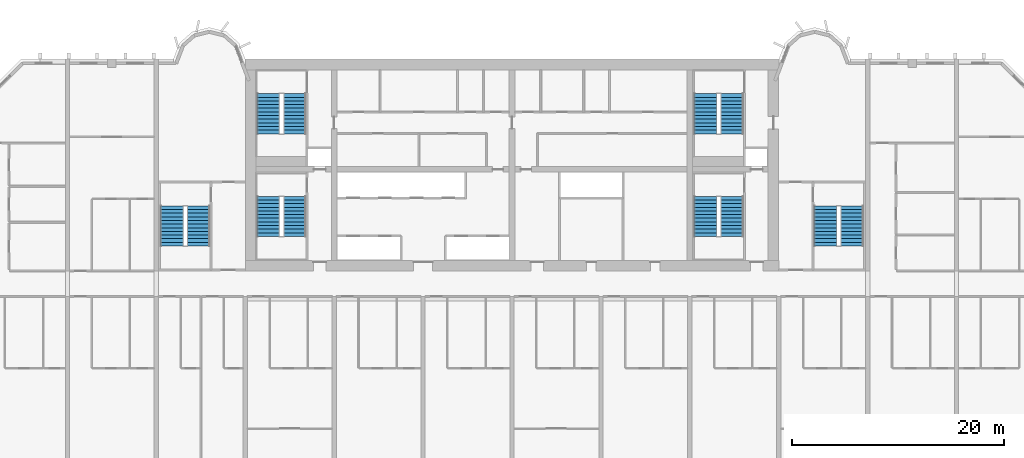
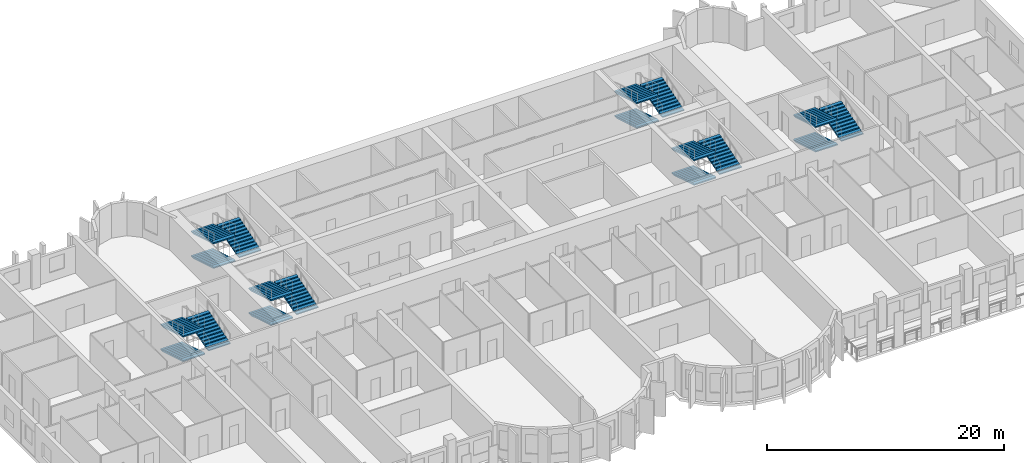
# One storey, part 12 of 15: 18 stair flights, 6 elements without a shape of their own.
"""IFC4 building model written with IfcOpenShell, lengths in metres."""

from ifc_helpers import new_model, si_unit, direction, frame, origin, place, context, subcontext, project, spatial, polyline, outline, extrude, source, transform, mapped, material, type_object, element, aggregate, save


model = new_model("IFC4")

# Units and contexts
model_context = context("Model", 3, precision=1e-05, world=origin(), true_north=direction((0.0, 1.0)))
body_context = subcontext(model_context, "Body", "Model", "MODEL_VIEW")
ifc_project = project(units=[si_unit("LENGTHUNIT", "METRE"), si_unit("AREAUNIT", "SQUARE_METRE"), si_unit("VOLUMEUNIT", "CUBIC_METRE"), si_unit("PLANEANGLEUNIT", "RADIAN"), si_unit("MASSUNIT", "GRAM", prefix="KILO")], contexts=[model_context])

# Site, building, storey
site_placement = place(None, origin())
site = spatial("IfcSite", under=ifc_project, at=site_placement, CompositionType="ELEMENT")
building_placement = place(site_placement, origin())
building = spatial("IfcBuilding", under=site, at=building_placement, Name="Vanashikhar Sky Hotel", CompositionType="ELEMENT")
storey_placement = place(building_placement, frame((0.0, 0.0, 69.60009765625)))
storey = spatial("IfcBuildingStorey", under=building, at=storey_placement, Name="L16", CompositionType="ELEMENT", Elevation=69.60009765625)

# Stair, stair flights
ifc_material = material(Name="Concrete M40", Category="concrete")
stair_type = type_object("IfcStairType", Name="Exit stair 2150", PredefinedType="DOUBLE_RETURN_STAIR", material=ifc_material)
stair_1_placement = place(storey_placement, origin())
stair_1 = element("IfcStair", 1, at=stair_1_placement, inside=storey, type_object=stair_type, Name="L16 Exit stair 1", PredefinedType="DOUBLE_RETURN_STAIR")
stair_flight_type = type_object("IfcStairFlightType", Name="Stair flight 2150", PredefinedType="STRAIGHT", material=ifc_material)
shared_shape = source(origin(), body_context, "Body", "SweptSolid", [
    extrude(outline(polyline([(0.0, 0.0), (0.0, 0.10546875), (0.345458984375, 0.10546875), (0.345458984375, 0.211181640625), (0.69091796875, 0.211181640625), (0.69091796875, 0.316650390625), (1.036376953125, 0.316650390625), (1.036376953125, 0.422119140625), (1.3818359375, 0.422119140625), (1.3818359375, 0.52783203125), (1.727294921875, 0.52783203125), (1.727294921875, 0.63330078125), (2.07275390625, 0.63330078125), (2.07275390625, 0.73876953125), (2.418212890625, 0.73876953125), (2.418212890625, 0.844482421875), (2.763671875, 0.844482421875), (2.763671875, 0.949951171875), (3.109130859375, 0.949951171875), (3.109130859375, 1.0556640625), (3.45458984375, 1.0556640625), (3.45458984375, 1.1611328125), (3.800048828125, 1.1611328125), (3.800048828125, 1.2666015625), (3.800048828125, 1.035400390625), (0.4111328125, 0.0), (0.0, 0.0)])), frame((0.0, 1.074951171875, 0.0), z_axis=(0.0, -1.0, 0.0), x_axis=(1.0, 0.0, 0.0)), (0.0, 0.0, 1.0), 2.14990234375),
])
stair_flight_1_placement = place(storey_placement, frame((27.375, 29.050048828125, 0.0), z_axis=(0.0, 0.0, 1.0), x_axis=(0.0, -1.0, 0.0)))
stair_flight_1 = element("IfcStairFlight", 2, at=stair_flight_1_placement, type_object=stair_flight_type, Name="ST-C1 flight 1", NumberOfRisers=12, NumberOfTreads=11, PredefinedType="STRAIGHT", RiserHeight=0.105555556, TreadLength=0.345454545, context=body_context, shape_type="MappedRepresentation", body=[
    mapped(shared_shape, transform((0.0, 0.0, 0.0), scale=1.0)),
])
stair_flight_2_placement = place(storey_placement, frame((29.875, 25.25, 1.2666015625), z_axis=(0.0, 0.0, 1.0), x_axis=(0.0, 1.0, 0.0)))
stair_flight_2 = element("IfcStairFlight", 3, at=stair_flight_2_placement, type_object=stair_flight_type, Name="ST-C1 flight 2", NumberOfRisers=12, NumberOfTreads=11, PredefinedType="STRAIGHT", RiserHeight=0.105555556, TreadLength=0.345454545, context=body_context, shape_type="MappedRepresentation", body=[
    mapped(shared_shape, transform((0.0, 0.0, 0.0), scale=1.0)),
])
stair_flight_3_placement = place(storey_placement, frame((27.375, 29.050048828125, 2.533203125), z_axis=(0.0, 0.0, 1.0), x_axis=(0.0, -1.0, 0.0)))
stair_flight_3 = element("IfcStairFlight", 4, at=stair_flight_3_placement, type_object=stair_flight_type, Name="ST-C1 flight 3", NumberOfRisers=12, NumberOfTreads=11, PredefinedType="STRAIGHT", RiserHeight=0.105555556, TreadLength=0.345454545, context=body_context, shape_type="MappedRepresentation", body=[
    mapped(shared_shape, transform((0.0, 0.0, 0.0), scale=1.0)),
])
aggregate(stair_1, [stair_flight_1, stair_flight_2, stair_flight_3])

stair_2_placement = place(storey_placement, origin())
stair_2 = element("IfcStair", 5, at=stair_2_placement, inside=storey, type_object=stair_type, Name="L16 Exit stair 2", PredefinedType="DOUBLE_RETURN_STAIR")
stair_flight_4_placement = place(storey_placement, frame((68.675048828125, 29.050048828125, 0.0), z_axis=(0.0, 0.0, 1.0), x_axis=(0.0, -1.0, 0.0)))
stair_flight_4 = element("IfcStairFlight", 6, at=stair_flight_4_placement, type_object=stair_flight_type, Name="ST-C2 flight 1", NumberOfRisers=12, NumberOfTreads=11, PredefinedType="STRAIGHT", RiserHeight=0.105555556, TreadLength=0.345454545, context=body_context, shape_type="MappedRepresentation", body=[
    mapped(shared_shape, transform((0.0, 0.0, 0.0), scale=1.0)),
])
stair_flight_5_placement = place(storey_placement, frame((71.175048828125, 25.25, 1.2666015625), z_axis=(0.0, 0.0, 1.0), x_axis=(0.0, 1.0, 0.0)))
stair_flight_5 = element("IfcStairFlight", 7, at=stair_flight_5_placement, type_object=stair_flight_type, Name="ST-C2 flight 2", NumberOfRisers=12, NumberOfTreads=11, PredefinedType="STRAIGHT", RiserHeight=0.105555556, TreadLength=0.345454545, context=body_context, shape_type="MappedRepresentation", body=[
    mapped(shared_shape, transform((0.0, 0.0, 0.0), scale=1.0)),
])
stair_flight_6_placement = place(storey_placement, frame((68.675048828125, 29.050048828125, 2.533203125), z_axis=(0.0, 0.0, 1.0), x_axis=(0.0, -1.0, 0.0)))
stair_flight_6 = element("IfcStairFlight", 8, at=stair_flight_6_placement, type_object=stair_flight_type, Name="ST-C2 flight 3", NumberOfRisers=12, NumberOfTreads=11, PredefinedType="STRAIGHT", RiserHeight=0.105555556, TreadLength=0.345454545, context=body_context, shape_type="MappedRepresentation", body=[
    mapped(shared_shape, transform((0.0, 0.0, 0.0), scale=1.0)),
])
aggregate(stair_2, [stair_flight_4, stair_flight_5, stair_flight_6])

stair_3_placement = place(storey_placement, origin())
stair_3 = element("IfcStair", 9, at=stair_3_placement, inside=storey, type_object=stair_type, Name="L16 Exit stair 3", PredefinedType="DOUBLE_RETURN_STAIR")
stair_flight_7_placement = place(storey_placement, frame((18.27490234375, 28.14990234375, 0.0), z_axis=(0.0, 0.0, 1.0), x_axis=(0.0, -1.0, 0.0)))
stair_flight_7 = element("IfcStairFlight", 10, at=stair_flight_7_placement, type_object=stair_flight_type, Name="ST-W flight 1", NumberOfRisers=12, NumberOfTreads=11, PredefinedType="STRAIGHT", RiserHeight=0.105555556, TreadLength=0.345454545, context=body_context, shape_type="MappedRepresentation", body=[
    mapped(shared_shape, transform((0.0, 0.0, 0.0), scale=1.0)),
])
stair_flight_8_placement = place(storey_placement, frame((20.77490234375, 24.35009765625, 1.2666015625), z_axis=(0.0, 0.0, 1.0), x_axis=(0.0, 1.0, 0.0)))
stair_flight_8 = element("IfcStairFlight", 11, at=stair_flight_8_placement, type_object=stair_flight_type, Name="ST-W flight 2", NumberOfRisers=12, NumberOfTreads=11, PredefinedType="STRAIGHT", RiserHeight=0.105555556, TreadLength=0.345454545, context=body_context, shape_type="MappedRepresentation", body=[
    mapped(shared_shape, transform((0.0, 0.0, 0.0), scale=1.0)),
])
stair_flight_9_placement = place(storey_placement, frame((18.27490234375, 28.14990234375, 2.533203125), z_axis=(0.0, 0.0, 1.0), x_axis=(0.0, -1.0, 0.0)))
stair_flight_9 = element("IfcStairFlight", 12, at=stair_flight_9_placement, type_object=stair_flight_type, Name="ST-W flight 3", NumberOfRisers=12, NumberOfTreads=11, PredefinedType="STRAIGHT", RiserHeight=0.105555556, TreadLength=0.345454545, context=body_context, shape_type="MappedRepresentation", body=[
    mapped(shared_shape, transform((0.0, 0.0, 0.0), scale=1.0)),
])
aggregate(stair_3, [stair_flight_7, stair_flight_8, stair_flight_9])

stair_4_placement = place(storey_placement, origin())
stair_4 = element("IfcStair", 13, at=stair_4_placement, inside=storey, type_object=stair_type, Name="L16 Exit stair 4", PredefinedType="DOUBLE_RETURN_STAIR")
stair_flight_10_placement = place(storey_placement, frame((80.02490234375, 28.14990234375, 0.0), z_axis=(0.0, 0.0, 1.0), x_axis=(0.0, -1.0, 0.0)))
stair_flight_10 = element("IfcStairFlight", 14, at=stair_flight_10_placement, type_object=stair_flight_type, Name="ST-E flight 1", NumberOfRisers=12, NumberOfTreads=11, PredefinedType="STRAIGHT", RiserHeight=0.105555556, TreadLength=0.345454545, context=body_context, shape_type="MappedRepresentation", body=[
    mapped(shared_shape, transform((0.0, 0.0, 0.0), scale=1.0)),
])
stair_flight_11_placement = place(storey_placement, frame((82.52490234375, 24.35009765625, 1.2666015625), z_axis=(0.0, 0.0, 1.0), x_axis=(0.0, 1.0, 0.0)))
stair_flight_11 = element("IfcStairFlight", 15, at=stair_flight_11_placement, type_object=stair_flight_type, Name="ST-E flight 2", NumberOfRisers=12, NumberOfTreads=11, PredefinedType="STRAIGHT", RiserHeight=0.105555556, TreadLength=0.345454545, context=body_context, shape_type="MappedRepresentation", body=[
    mapped(shared_shape, transform((0.0, 0.0, 0.0), scale=1.0)),
])
stair_flight_12_placement = place(storey_placement, frame((80.02490234375, 28.14990234375, 2.533203125), z_axis=(0.0, 0.0, 1.0), x_axis=(0.0, -1.0, 0.0)))
stair_flight_12 = element("IfcStairFlight", 16, at=stair_flight_12_placement, type_object=stair_flight_type, Name="ST-E flight 3", NumberOfRisers=12, NumberOfTreads=11, PredefinedType="STRAIGHT", RiserHeight=0.105555556, TreadLength=0.345454545, context=body_context, shape_type="MappedRepresentation", body=[
    mapped(shared_shape, transform((0.0, 0.0, 0.0), scale=1.0)),
])
aggregate(stair_4, [stair_flight_10, stair_flight_11, stair_flight_12])

stair_5_placement = place(storey_placement, origin())
stair_5 = element("IfcStair", 17, at=stair_5_placement, inside=storey, type_object=stair_type, Name="L16 Exit stair 5", PredefinedType="DOUBLE_RETURN_STAIR")
stair_flight_13_placement = place(storey_placement, frame((27.375, 38.75, 0.0), z_axis=(0.0, 0.0, 1.0), x_axis=(0.0, -1.0, 0.0)))
stair_flight_13 = element("IfcStairFlight", 18, at=stair_flight_13_placement, type_object=stair_flight_type, Name="ST-C3 flight 1", NumberOfRisers=12, NumberOfTreads=11, PredefinedType="STRAIGHT", RiserHeight=0.105555556, TreadLength=0.345454545, context=body_context, shape_type="MappedRepresentation", body=[
    mapped(shared_shape, transform((0.0, 0.0, 0.0), scale=1.0)),
])
stair_flight_14_placement = place(storey_placement, frame((29.875, 34.949951171875, 1.2666015625), z_axis=(0.0, 0.0, 1.0), x_axis=(0.0, 1.0, 0.0)))
stair_flight_14 = element("IfcStairFlight", 19, at=stair_flight_14_placement, type_object=stair_flight_type, Name="ST-C3 flight 2", NumberOfRisers=12, NumberOfTreads=11, PredefinedType="STRAIGHT", RiserHeight=0.105555556, TreadLength=0.345454545, context=body_context, shape_type="MappedRepresentation", body=[
    mapped(shared_shape, transform((0.0, 0.0, 0.0), scale=1.0)),
])
stair_flight_15_placement = place(storey_placement, frame((27.375, 38.75, 2.533203125), z_axis=(0.0, 0.0, 1.0), x_axis=(0.0, -1.0, 0.0)))
stair_flight_15 = element("IfcStairFlight", 20, at=stair_flight_15_placement, type_object=stair_flight_type, Name="ST-C3 flight 3", NumberOfRisers=12, NumberOfTreads=11, PredefinedType="STRAIGHT", RiserHeight=0.105555556, TreadLength=0.345454545, context=body_context, shape_type="MappedRepresentation", body=[
    mapped(shared_shape, transform((0.0, 0.0, 0.0), scale=1.0)),
])
aggregate(stair_5, [stair_flight_13, stair_flight_14, stair_flight_15])

stair_6_placement = place(storey_placement, origin())
stair_6 = element("IfcStair", 21, at=stair_6_placement, inside=storey, type_object=stair_type, Name="L16 Exit stair 6", PredefinedType="DOUBLE_RETURN_STAIR")
stair_flight_16_placement = place(storey_placement, frame((68.675048828125, 38.75, 0.0), z_axis=(0.0, 0.0, 1.0), x_axis=(0.0, -1.0, 0.0)))
stair_flight_16 = element("IfcStairFlight", 22, at=stair_flight_16_placement, type_object=stair_flight_type, Name="ST-C4 flight 1", NumberOfRisers=12, NumberOfTreads=11, PredefinedType="STRAIGHT", RiserHeight=0.105555556, TreadLength=0.345454545, context=body_context, shape_type="MappedRepresentation", body=[
    mapped(shared_shape, transform((0.0, 0.0, 0.0), scale=1.0)),
])
stair_flight_17_placement = place(storey_placement, frame((71.175048828125, 34.949951171875, 1.2666015625), z_axis=(0.0, 0.0, 1.0), x_axis=(0.0, 1.0, 0.0)))
stair_flight_17 = element("IfcStairFlight", 23, at=stair_flight_17_placement, type_object=stair_flight_type, Name="ST-C4 flight 2", NumberOfRisers=12, NumberOfTreads=11, PredefinedType="STRAIGHT", RiserHeight=0.105555556, TreadLength=0.345454545, context=body_context, shape_type="MappedRepresentation", body=[
    mapped(shared_shape, transform((0.0, 0.0, 0.0), scale=1.0)),
])
stair_flight_18_placement = place(storey_placement, frame((68.675048828125, 38.75, 2.533203125), z_axis=(0.0, 0.0, 1.0), x_axis=(0.0, -1.0, 0.0)))
stair_flight_18 = element("IfcStairFlight", 24, at=stair_flight_18_placement, type_object=stair_flight_type, Name="ST-C4 flight 3", NumberOfRisers=12, NumberOfTreads=11, PredefinedType="STRAIGHT", RiserHeight=0.105555556, TreadLength=0.345454545, context=body_context, shape_type="MappedRepresentation", body=[
    mapped(shared_shape, transform((0.0, 0.0, 0.0), scale=1.0)),
])
aggregate(stair_6, [stair_flight_16, stair_flight_17, stair_flight_18])

save(model, "model.ifc")
